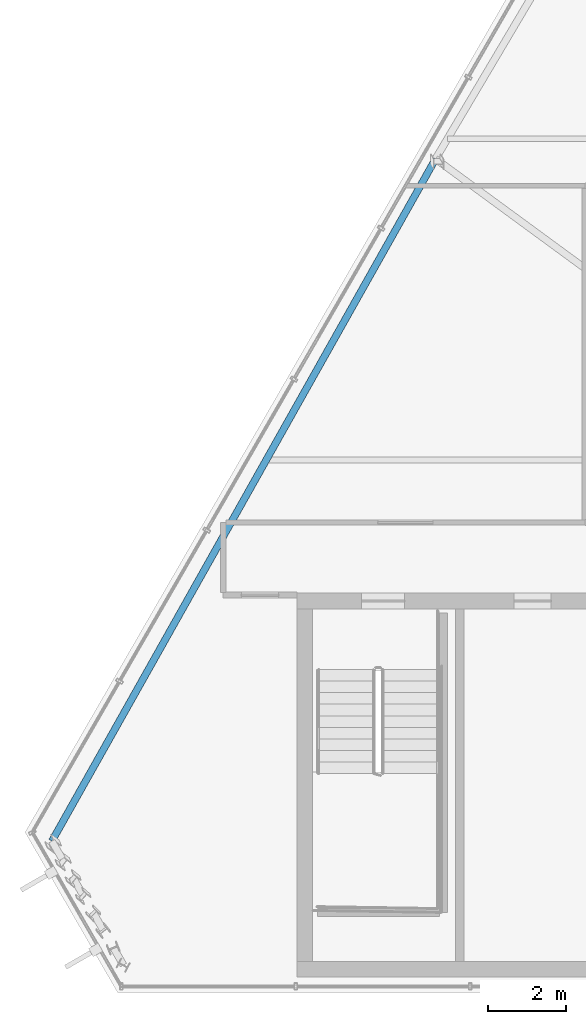
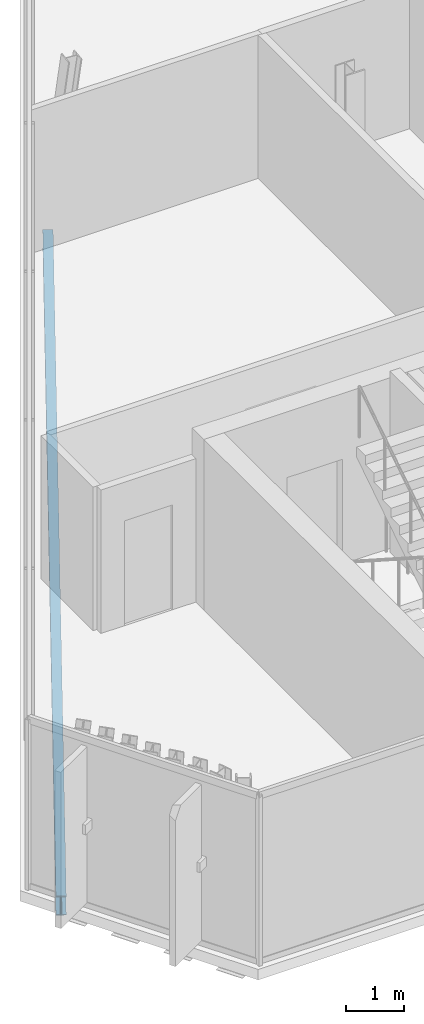
# One storey, part 5 of 32: 1 beam.
"""IFC4 building model written with IfcOpenShell, lengths in metres."""

from ifc_helpers import new_model, si_unit, direction, frame, origin, origin_2d, place, context, subcontext, project, spatial, i_section, extrude, material, material_profile, profile_set, type_object, element, save


model = new_model("IFC4")

# Units and contexts
model_context = context("Model", 3, precision=1e-05, world=origin(), true_north=direction((0.0, 1.0)))
body_context = subcontext(model_context, "Body", "Model", "MODEL_VIEW")
ifc_project = project(units=[si_unit("LENGTHUNIT", "METRE"), si_unit("AREAUNIT", "SQUARE_METRE"), si_unit("VOLUMEUNIT", "CUBIC_METRE"), si_unit("PLANEANGLEUNIT", "RADIAN"), si_unit("MASSUNIT", "GRAM", prefix="KILO")], contexts=[model_context])

# Site, building, storey
site_placement = place(None, origin())
site = spatial("IfcSite", under=ifc_project, at=site_placement, CompositionType="ELEMENT")
building_placement = place(site_placement, origin())
building = spatial("IfcBuilding", under=site, at=building_placement, Name="Ndaravel Arena Tower", CompositionType="ELEMENT")
storey_placement = place(building_placement, frame((0.0, 0.0, 290.89990234375)))
storey = spatial("IfcBuildingStorey", under=building, at=storey_placement, Name="L71", CompositionType="ELEMENT", Elevation=290.89990234375)

# Beam
ifc_material = material(Name="Steel S355", Category="steel")
ifc_material_profile = material_profile(ifc_material, i_section(OverallWidth=0.179931640625, OverallDepth=0.39990234375, WebThickness=0.008544921875, FlangeThickness=0.013427734375, FilletRadius=0.02099609375, at=origin_2d()), Name="IPE 400")
ifc_profile_set = profile_set([ifc_material_profile], Name="Steel S355")
beam_type = type_object("IfcBeamType", Name="BM-SPAN-IPE400", PredefinedType="SPANDREL", material=ifc_profile_set)
beam_placement = place(storey_placement, frame((29.9873046875, 26.286865234375, -0.419921875), z_axis=(-0.490170744619, -0.871626434386, 0.0), x_axis=(0.871626434386, -0.490170744619, 0.0)))
element("IfcBeam", 1, at=beam_placement, inside=storey, type_object=beam_type, Name="L71 Perimeter Spandrel Beam SP-19", PredefinedType="SPANDREL", context=body_context, shape_type="SweptSolid", body=[
    extrude(i_section(OverallWidth=0.179931640625, OverallDepth=0.39990234375, WebThickness=0.008544921875, FlangeThickness=0.013427734375, FilletRadius=0.02099609375, at=origin_2d()), origin(), (0.0, 0.0, 1.0), 19.982177734375),
])

save(model, "model.ifc")
